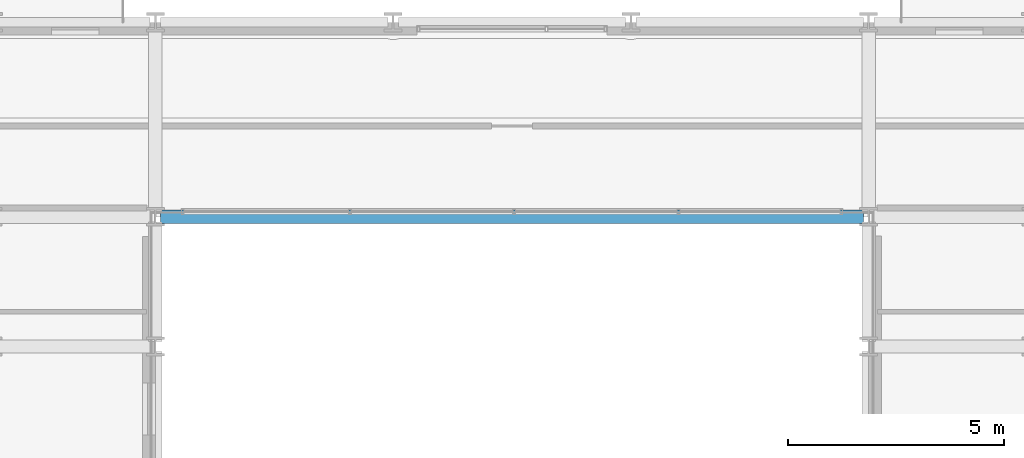
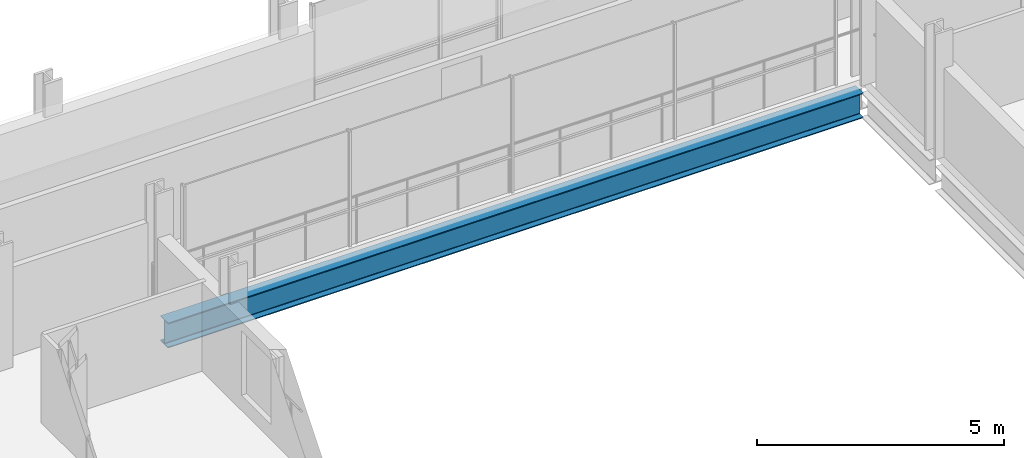
# One storey, part 10 of 41: 1 beam.
"""IFC4 building model written with IfcOpenShell, lengths in metres."""

from ifc_helpers import new_model, si_unit, direction, frame, origin, origin_2d, place, context, subcontext, project, spatial, i_section, extrude, material, material_profile, profile_set, type_object, element, save


model = new_model("IFC4")

# Units and contexts
model_context = context("Model", 3, precision=1e-05, world=origin(), true_north=direction((0.0, 1.0)))
body_context = subcontext(model_context, "Body", "Model", "MODEL_VIEW")
ifc_project = project(units=[si_unit("LENGTHUNIT", "METRE"), si_unit("AREAUNIT", "SQUARE_METRE"), si_unit("VOLUMEUNIT", "CUBIC_METRE"), si_unit("PLANEANGLEUNIT", "RADIAN"), si_unit("MASSUNIT", "GRAM", prefix="KILO")], contexts=[model_context])

# Site, building, storey
site_placement = place(None, origin())
site = spatial("IfcSite", under=ifc_project, at=site_placement, CompositionType="ELEMENT")
building_placement = place(site_placement, origin())
building = spatial("IfcBuilding", under=site, at=building_placement, Name="Brevholm Reach", CompositionType="ELEMENT")
storey_placement = place(building_placement, frame((0.0, 0.0, 93.10009765625)))
storey = spatial("IfcBuildingStorey", under=building, at=storey_placement, Name="L27", CompositionType="ELEMENT", Elevation=93.10009765625)

# Beam
ifc_material = material(Name="Structural Steel S355J2", Category="steel")
ifc_material_profile = material_profile(ifc_material, i_section(OverallWidth=0.30712890625, OverallDepth=0.6201171875, WebThickness=0.01416015625, FlangeThickness=0.023681640625, FilletRadius=0.0166015625, at=origin_2d()), Name="UKB 610x305x179")
ifc_profile_set = profile_set([ifc_material_profile], Name="Structural Steel S355J2")
beam_type = type_object("IfcBeamType", Name="BM-UKB610H", PredefinedType="USERDEFINED", material=ifc_profile_set)
beam_placement = place(storey_placement, frame((21.8701171875, 26.5, -0.540283203125), z_axis=(1.0, 0.0, 0.0), x_axis=(0.0, 1.0, 0.0)))
element("IfcBeam", 1, at=beam_placement, inside=storey, type_object=beam_type, Name="L27 G-06 Framing Beam", ObjectType="GIRDER", PredefinedType="USERDEFINED", context=body_context, shape_type="SweptSolid", body=[
    extrude(i_section(OverallWidth=0.30712890625, OverallDepth=0.6201171875, WebThickness=0.01416015625, FlangeThickness=0.023681640625, FilletRadius=0.0166015625, at=origin_2d()), origin(), (0.0, 0.0, 1.0), 16.259765625),
])

save(model, "model.ifc")
